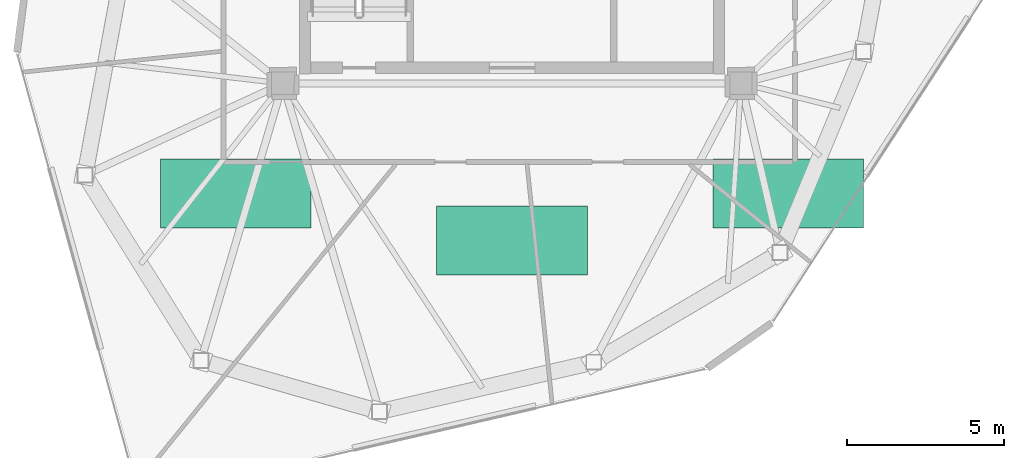
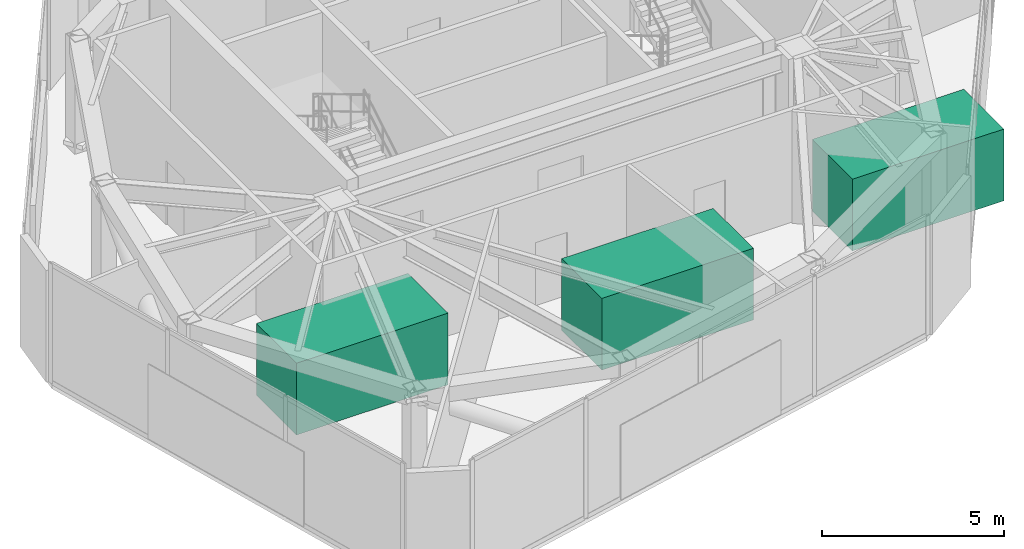
# One storey, part 21 of 21: 3 electric generators.
"""IFC4 building model written with IfcOpenShell, lengths in metres."""

from ifc_helpers import new_model, si_unit, direction, frame, origin, origin_2d, place, context, subcontext, project, spatial, rectangle, extrude, source, transform, mapped, material, type_object, type_shapes, element, save


model = new_model("IFC4")

# Units and contexts
model_context = context("Model", 3, precision=1e-05, world=origin(), true_north=direction((0.0, 1.0)))
body_context = subcontext(model_context, "Body", "Model", "MODEL_VIEW")
ifc_project = project(units=[si_unit("LENGTHUNIT", "METRE"), si_unit("AREAUNIT", "SQUARE_METRE"), si_unit("VOLUMEUNIT", "CUBIC_METRE"), si_unit("PLANEANGLEUNIT", "RADIAN"), si_unit("MASSUNIT", "GRAM", prefix="KILO")], contexts=[model_context])

# Site, building, storey
site_placement = place(None, origin())
site = spatial("IfcSite", under=ifc_project, at=site_placement, CompositionType="ELEMENT")
building_placement = place(site_placement, origin())
building = spatial("IfcBuilding", under=site, at=building_placement, Name="Talar Marvaseh", CompositionType="ELEMENT")
storey_placement = place(building_placement, frame((0.0, 0.0, 304.0)))
storey = spatial("IfcBuildingStorey", under=building, at=storey_placement, Name="L81", CompositionType="ELEMENT", Elevation=304.0)

# Electric generators
ifc_material = material(Name="Architectural Aluminium", Category="aluminium")
electric_generator_type = type_object("IfcElectricGeneratorType", Name="Rooftop Centrifugal Chiller and Cooling Plant Skid", PredefinedType="STANDALONE", material=ifc_material)
shared_shape = source(origin(), body_context, "Body", "SweptSolid", [
    extrude(rectangle(XDim=4.800048828125, YDim=2.199951171875, at=origin_2d()), origin(), (0.0, 0.0, 1.0), 2.39990234375),
])
type_shapes(electric_generator_type, [shared_shape])
for number, where, z_axis, x_axis, name in (
    (1, (17.199951171875, 22.0, 0.0), (0.0, 0.0, 1.0), (1.0, 0.0, 0.0), "L81 Crown Mechanical Plant Chiller Skid 1"),
    (2, (34.800048828125, 22.0, 0.0), (0.0, 0.0, 1.0), (1.0, 0.0, 0.0), "L81 Crown Mechanical Plant Chiller Skid 2"),
    (3, (26.0, 20.5, 0.0), (0.0, 0.0, 1.0), (1.0, 0.0, 0.0), "L81 Crown Mechanical Plant Chiller Skid 3"),
):
    element("IfcElectricGenerator", number, at=place(storey_placement, frame(where, z_axis=z_axis, x_axis=x_axis)), inside=storey, type_object=electric_generator_type, Name=name, PredefinedType="STANDALONE", context=body_context, shape_type="MappedRepresentation", body=[
        mapped(shared_shape, transform((0.0, 0.0, 0.0), x_axis=(1.0, 0.0, 0.0), y_axis=(0.0, 1.0, 0.0), z_axis=(0.0, 0.0, 1.0), scale=1.0)),
    ])

save(model, "model.ifc")
